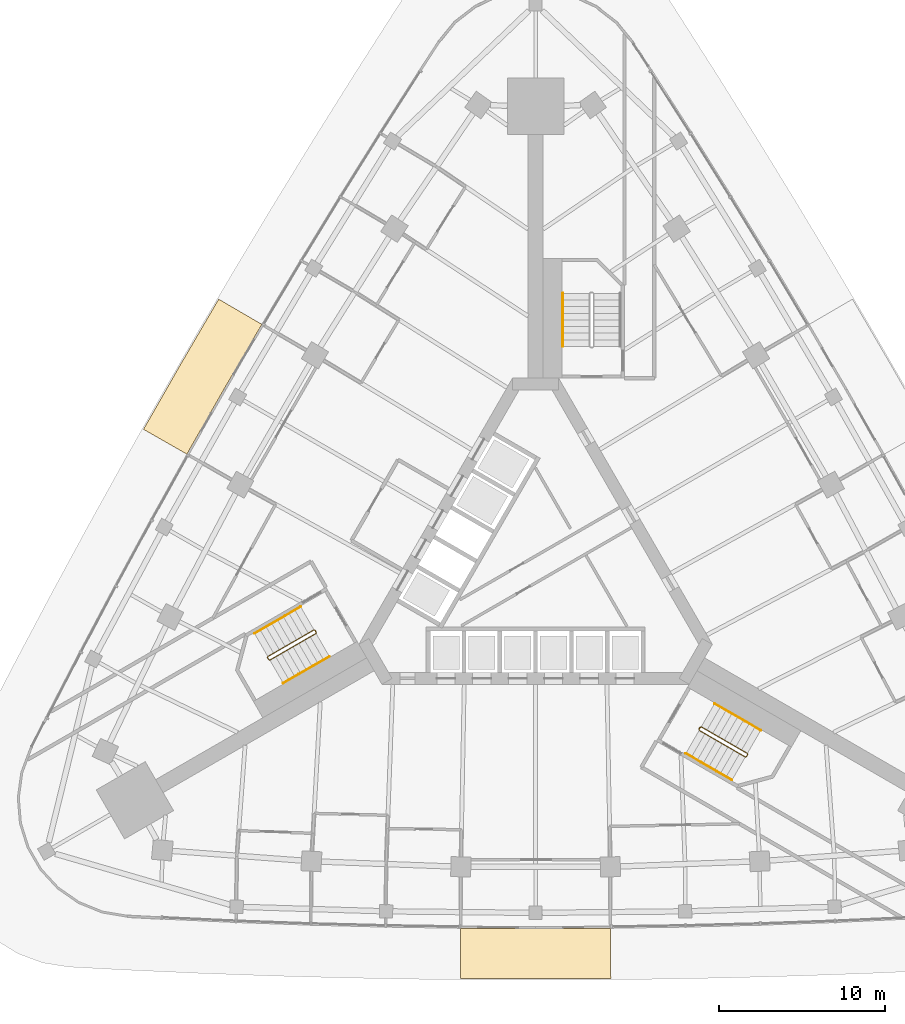
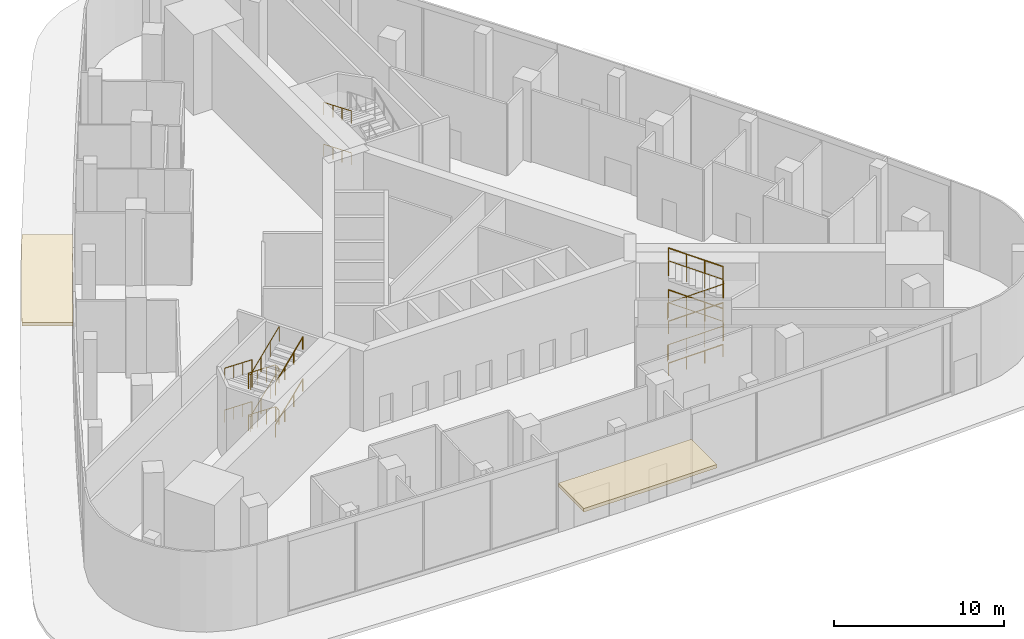
# One storey, part 12 of 14: 12 railings, 2 coverings.
"""IFC4 building model written with IfcOpenShell, lengths in metres."""

import ifcopenshell
import ifcopenshell.guid

model = None  # the IFC model being written
_history = None  # IfcOwnerHistory: only IFC2X3 demands one
_inside = {}  # id of a spatial element -> (the spatial element, [elements in it])
_under = {}  # id of a project, library or spatial element -> (it, [spatial elements below it])
_declared = {}  # id of a project -> (the project, [libraries it declares])
_typed = {}  # id of a type object -> (the type object, [elements of that type])
_made_of = {}  # id of a material, layer set ... -> (it, [elements and type objects made of it])


def new_model(schema):
    """Start an empty IFC model of exactly this schema.

    Asked for "IFC4X3", IfcOpenShell would pick the latest addendum, in which some entities
    have other attributes; the version numbers below select the first issue.
    IFC2X3 requires an IfcOwnerHistory on every rooted entity: one is made here for all.
    """
    global model, _history
    if schema == "IFC4X3":
        model = ifcopenshell.file(schema_version=(4, 3, 0, 0))
    else:
        model = ifcopenshell.file(schema=schema)
    _inside.clear()
    _under.clear()
    _declared.clear()
    _typed.clear()
    _made_of.clear()
    _history = None
    if model.schema == "IFC2X3":
        org = make("IfcOrganization", Name="unknown")
        user = make(
            "IfcPersonAndOrganization",
            ThePerson=make("IfcPerson", FamilyName="unknown"),
            TheOrganization=org,
        )
        app = make(
            "IfcApplication",
            ApplicationDeveloper=org,
            Version="unknown",
            ApplicationFullName="unknown",
            ApplicationIdentifier="unknown",
        )
        _history = make(
            "IfcOwnerHistory",
            OwningUser=user,
            OwningApplication=app,
            ChangeAction="ADDED",
            CreationDate=0,
        )
    return model


def make(cls, **values):
    """One entity of the class cls with the attributes given. An attribute that is None is left unset."""
    return model.create_entity(
        cls, **{name: value for name, value in values.items() if value is not None}
    )


def rooted(cls, **values):
    """An entity with a GlobalId (a new one), such as an element, a storey or a relation."""
    return make(cls, GlobalId=ifcopenshell.guid.new(), OwnerHistory=_history, **values)


def si_unit(unit_type, name, prefix=None):
    """IfcSIUnit, for example si_unit("LENGTHUNIT", "METRE", prefix="MILLI")."""
    return make("IfcSIUnit", UnitType=unit_type, Prefix=prefix, Name=name)


def assignment(units):
    """IfcUnitAssignment: the units of a project."""
    return None if units is None else make("IfcUnitAssignment", Units=units)


def point(xyz):
    """IfcCartesianPoint."""
    return None if xyz is None else make("IfcCartesianPoint", Coordinates=xyz)


def direction(xyz):
    """IfcDirection."""
    return None if xyz is None else make("IfcDirection", DirectionRatios=xyz)


def frame(location, z_axis=None, x_axis=None):
    """IfcAxis2Placement3D, a coordinate frame: its origin and axes. An axis left out is left unset."""
    return make(
        "IfcAxis2Placement3D",
        Location=point(location),
        Axis=direction(z_axis),
        RefDirection=direction(x_axis),
    )


def frame_2d(location, x_axis=None):
    """IfcAxis2Placement2D, a coordinate frame in the plane: its origin and x axis."""
    return make(
        "IfcAxis2Placement2D", Location=point(location), RefDirection=direction(x_axis)
    )


def origin():
    """The frame at (0, 0, 0) with its axes left unset."""
    return frame((0.0, 0.0, 0.0))


def origin_2d():
    """The frame at (0, 0) in the plane with its x axis left unset."""
    return frame_2d((0.0, 0.0))


def place(relative_to, where):
    """IfcLocalPlacement: puts the frame where relative to a parent placement (None: the world)."""
    return make(
        "IfcLocalPlacement", PlacementRelTo=relative_to, RelativePlacement=where
    )


def context(
    kind, dimensions, precision=None, world=None, true_north=None, identifier=None
):
    """IfcGeometricRepresentationContext, for example the 3D "Model" context."""
    return make(
        "IfcGeometricRepresentationContext",
        ContextIdentifier=identifier,
        ContextType=kind,
        CoordinateSpaceDimension=dimensions,
        Precision=precision,
        WorldCoordinateSystem=world,
        TrueNorth=true_north,
    )


def subcontext(parent, identifier, kind, view, scale=None):
    """IfcGeometricRepresentationSubContext, for example "Body" below "Model"."""
    return make(
        "IfcGeometricRepresentationSubContext",
        ContextIdentifier=identifier,
        ContextType=kind,
        ParentContext=parent,
        TargetScale=scale,
        TargetView=view,
    )


def project(units=None, contexts=None):
    """IfcProject with its units and contexts."""
    return rooted(
        "IfcProject",
        Name="project",
        RepresentationContexts=contexts,
        UnitsInContext=assignment(units),
    )


def spatial(cls, under=None, at=None, **own):
    """A site, building, storey or space (cls), placed at a placement, below another one or the project."""
    s = rooted(cls, ObjectPlacement=at, **own)
    if under is not None:
        _under.setdefault(under.id(), (under, []))[1].append(s)
    return s


def polyline(points):
    """IfcPolyline through the points."""
    return make("IfcPolyline", Points=[point(p) for p in points])


def profile(cls, at=None, kind="AREA", **sizes):
    """A parametric profile (cls). Its sizes go by their IFC names, for example OverallWidth=200.0."""
    return make(cls, ProfileType=kind, Position=at, **sizes)


def circle(**sizes):
    """IfcCircleProfileDef."""
    return profile("IfcCircleProfileDef", **sizes)


def outline(outer, holes=None, kind="AREA"):
    """IfcArbitraryClosedProfileDef: a profile drawn as a closed curve; with holes, ...WithVoids."""
    if holes is None:
        return make("IfcArbitraryClosedProfileDef", ProfileType=kind, OuterCurve=outer)
    return make(
        "IfcArbitraryProfileDefWithVoids",
        ProfileType=kind,
        OuterCurve=outer,
        InnerCurves=holes,
    )


def extrude(swept, where, along, depth):
    """IfcExtrudedAreaSolid: the profile swept, set in the frame where, extruded along a direction by depth."""
    return make(
        "IfcExtrudedAreaSolid",
        SweptArea=swept,
        Position=where,
        ExtrudedDirection=direction(along),
        Depth=depth,
    )


def shape(context_of_items, identifier, shape_type, items):
    """IfcShapeRepresentation: the items that make up one representation, for example the "Body"."""
    return make(
        "IfcShapeRepresentation",
        ContextOfItems=context_of_items,
        RepresentationIdentifier=identifier,
        RepresentationType=shape_type,
        Items=items,
    )


def material(Name=None, Category=None):
    """IfcMaterial."""
    return make("IfcMaterial", Name=Name, Category=Category)


def layer(
    of_material, thickness, ventilated=None, Name=None, Category=None, Priority=None
):
    """IfcMaterialLayer: one layer of a wall or slab, of a material (None: an air gap)."""
    return make(
        "IfcMaterialLayer",
        Material=of_material,
        LayerThickness=thickness,
        IsVentilated=ventilated,
        Name=Name,
        Category=Category,
        Priority=Priority,
    )


def layer_set(layers, Name=None):
    """IfcMaterialLayerSet."""
    return make("IfcMaterialLayerSet", MaterialLayers=layers, LayerSetName=Name)


def made_of(thing, what):
    """Note that an element or type object is made of a material, layer set ...; save() writes the relation."""
    if what is not None:
        _made_of.setdefault(what.id(), (what, []))[1].append(thing)
    return thing


def type_object(cls, material=None, **own):
    """A type object (cls), such as IfcWallType, which elements share."""
    return made_of(rooted(cls, **own), material)


def element(
    cls,
    number,
    at=None,
    inside=None,
    cuts=None,
    type_object=None,
    material=None,
    context=None,
    identifier="Body",
    shape_type=None,
    held_by="IfcProductDefinitionShape",
    body=None,
    shapes=None,
    **own,
):
    """One element of the class cls, such as IfcWall. Its Tag is "e" and its number.

    at: its placement. inside: the storey or other place that contains it. cuts: it is an
    opening in that element (IfcRelVoidsElement). A single representation is given by context,
    identifier, shape_type and body (its items); several are given by shapes. held_by: the class
    of the entity that holds the representations. save() writes the other relations.
    """
    e = rooted(cls, Tag="e%d" % number, ObjectPlacement=at, **own)
    if body is not None:
        shapes = [shape(context, identifier, shape_type, body)]
    if shapes is not None:
        e.Representation = make(held_by, Representations=shapes)
    if inside is not None:
        _inside.setdefault(inside.id(), (inside, []))[1].append(e)
    if cuts is not None:
        rooted(
            "IfcRelVoidsElement", RelatingBuildingElement=cuts, RelatedOpeningElement=e
        )
    if type_object is not None:
        _typed.setdefault(type_object.id(), (type_object, []))[1].append(e)
    return made_of(e, material)


def aggregate(whole, parts):
    """IfcRelAggregates: a whole, such as a stair, and the parts it consists of."""
    return rooted("IfcRelAggregates", RelatingObject=whole, RelatedObjects=parts)


def save(model, path):
    """Write the relations noted so far, then the file.

    IfcRelAggregates (storeys below a building ...), IfcRelContainedInSpatialStructure (elements
    in a storey), IfcRelDefinesByType, IfcRelAssociatesMaterial and IfcRelDeclares: one each for
    every whole, place, type object, material and project.
    """
    for whole, parts in _under.values():
        aggregate(whole, parts)
    for where, things in _inside.values():
        rooted(
            "IfcRelContainedInSpatialStructure",
            RelatedElements=things,
            RelatingStructure=where,
        )
    for kind, things in _typed.values():
        rooted("IfcRelDefinesByType", RelatedObjects=things, RelatingType=kind)
    for what, things in _made_of.values():
        rooted("IfcRelAssociatesMaterial", RelatedObjects=things, RelatingMaterial=what)
    for by, libraries in _declared.values():
        rooted("IfcRelDeclares", RelatingContext=by, RelatedDefinitions=libraries)
    model.write(path)


model = new_model("IFC4")

# Units and contexts
model_context = context("Model", 3, precision=1e-05, world=origin(), true_north=direction((0.0, 1.0)))
body_context = subcontext(model_context, "Body", "Model", "MODEL_VIEW")
ifc_project = project(units=[si_unit("LENGTHUNIT", "METRE"), si_unit("AREAUNIT", "SQUARE_METRE"), si_unit("VOLUMEUNIT", "CUBIC_METRE"), si_unit("PLANEANGLEUNIT", "RADIAN"), si_unit("MASSUNIT", "GRAM", prefix="KILO")], contexts=[model_context])

# Site, building, storey
site_placement = place(None, origin())
site = spatial("IfcSite", under=ifc_project, at=site_placement, CompositionType="ELEMENT")
building_placement = place(site_placement, origin())
building = spatial("IfcBuilding", under=site, at=building_placement, Name="Noor Cloister Tower", CompositionType="ELEMENT")
storey_placement = place(building_placement, origin())
storey = spatial("IfcBuildingStorey", under=building, at=storey_placement, Name="L00", CompositionType="ELEMENT", Elevation=0.0)

# Railings
ifc_material_1 = material(Name="Stainless steel", Category="steel")
railing_type_1 = type_object("IfcRailingType", Name="Stair guard 1100", PredefinedType="GUARDRAIL", material=ifc_material_1)
railing_1_placement = place(storey_placement, frame((-13.241455078125, -3.677734375, 0.0)))
element("IfcRailing", 1, at=railing_1_placement, inside=storey, type_object=railing_type_1, Name="Stair guard ST2 L00", PredefinedType="GUARDRAIL", context=body_context, shape_type="SweptSolid", body=[
    extrude(circle(Radius=0.02392578125, at=origin_2d()), frame((0.0, 0.0, 1.076171875), z_axis=(0.499112439033, -0.866537231285, 0.0), x_axis=(0.866537231285, 0.499112439033, 0.0)), (0.0, 0.0, 1.0), 0.150146484375),
    extrude(circle(Radius=0.02392578125, at=origin_2d()), frame((0.074951171875, -0.130126953125, 1.076171875), z_axis=(-0.540490219993, 0.558905559686, 0.62888385052), x_axis=(-0.718850276695, -0.695164929852, 0.0)), (0.0, 0.0, 1.0), 0.26513671875),
    extrude(circle(Radius=0.02392578125, at=origin_2d()), frame((-0.068359375, 0.01806640625, 1.24267578125), z_axis=(-0.799426598515, -0.461513743289, 0.38460652405), x_axis=(0.499971222258, -0.866042017984, 0.0)), (0.0, 0.0, 1.0), 3.466552734375),
    extrude(circle(Radius=0.02392578125, at=origin_2d()), frame((-2.839599609375, -1.581787109375, 2.576171875), z_axis=(-0.258736085224, -0.965948051503, 0.0), x_axis=(0.965948051503, -0.258736085224, 0.0)), (0.0, 0.0, 1.0), 0.07080078125),
    extrude(circle(Radius=0.02392578125, at=origin_2d()), frame((-2.85791015625, -1.650146484375, 2.576171875), z_axis=(0.499816412211, -0.866131372301, 0.0), x_axis=(0.866131372301, 0.499816412211, 0.0)), (0.0, 0.0, 1.0), 0.14990234375),
    extrude(circle(Radius=0.02392578125, at=origin_2d()), frame((-2.782958984375, -1.780029296875, 2.576171875), z_axis=(0.377375626821, -0.101082757184, 0.920526975423), x_axis=(0.258736085224, 0.965948051503, 0.0)), (0.0, 0.0, 1.0), 0.18115234375),
    extrude(circle(Radius=0.02392578125, at=origin_2d()), frame((-2.714599609375, -1.79833984375, 2.74267578125), z_axis=(0.799400613698, 0.461569167666, 0.384594022677), x_axis=(-0.500028443584, 0.866008981251, 0.0)), (0.0, 0.0, 1.0), 3.466552734375),
    extrude(circle(Radius=0.02392578125, at=origin_2d()), frame((0.056640625, -0.1982421875, 4.076171875), z_axis=(-0.274721127897, 0.961523947641, 0.0), x_axis=(-0.961523947641, -0.274721127897, 0.0)), (0.0, 0.0, 1.0), 0.2060546875),
    extrude(circle(Radius=0.02392578125, at=origin_2d()), frame((0.0, 0.0, 4.076171875), z_axis=(0.499112439033, -0.866537231285, 0.0), x_axis=(0.866537231285, 0.499112439033, 0.0)), (0.0, 0.0, 1.0), 0.150146484375),
    extrude(circle(Radius=0.02392578125, at=origin_2d()), frame((0.074951171875, -0.130126953125, 4.076171875), z_axis=(-0.540490219993, 0.558905559686, 0.62888385052), x_axis=(-0.718850276695, -0.695164929852, 0.0)), (0.0, 0.0, 1.0), 0.26513671875),
    extrude(circle(Radius=0.02392578125, at=origin_2d()), frame((-0.068359375, 0.01806640625, 4.24267578125), z_axis=(-0.799426598515, -0.461513743289, 0.38460652405), x_axis=(0.499971222258, -0.866042017984, 0.0)), (0.0, 0.0, 1.0), 3.466552734375),
    extrude(circle(Radius=0.02392578125, at=origin_2d()), frame((-2.839599609375, -1.581787109375, 5.576171875), z_axis=(-0.258736085224, -0.965948051503, 0.0), x_axis=(0.965948051503, -0.258736085224, 0.0)), (0.0, 0.0, 1.0), 0.07080078125),
    extrude(circle(Radius=0.02392578125, at=origin_2d()), frame((-2.85791015625, -1.650146484375, 5.576171875), z_axis=(0.499816412211, -0.866131372301, 0.0), x_axis=(0.866131372301, 0.499816412211, 0.0)), (0.0, 0.0, 1.0), 0.14990234375),
    extrude(circle(Radius=0.02392578125, at=origin_2d()), frame((-2.782958984375, -1.780029296875, 5.576171875), z_axis=(0.377375626821, -0.101082757184, 0.920526975423), x_axis=(0.258736085224, 0.965948051503, 0.0)), (0.0, 0.0, 1.0), 0.18115234375),
    extrude(circle(Radius=0.02392578125, at=origin_2d()), frame((-2.714599609375, -1.79833984375, 5.74267578125), z_axis=(0.799400613698, 0.461569167666, 0.384594022677), x_axis=(-0.500028443584, 0.866008981251, 0.0)), (0.0, 0.0, 1.0), 3.466552734375),
    extrude(circle(Radius=0.02099609375, at=origin_2d()), origin(), (0.0, 0.0, 1.0), 1.052001953125),
    extrude(circle(Radius=0.02099609375, at=origin_2d()), frame((0.074951171875, -0.130126953125, 0.0)), (0.0, 0.0, 1.0), 1.052001953125),
    extrude(circle(Radius=0.02099609375, at=origin_2d()), frame((-0.068359375, 0.01806640625, 0.166748046875)), (0.0, 0.0, 1.0), 1.052001953125),
    extrude(circle(Radius=0.02099609375, at=origin_2d()), frame((-0.9921875, -0.51513671875, 0.611083984375)), (0.0, 0.0, 1.0), 1.052001953125),
    extrude(circle(Radius=0.02099609375, at=origin_2d()), frame((-1.915771484375, -1.048583984375, 1.0556640625)), (0.0, 0.0, 1.0), 1.052001953125),
    extrude(circle(Radius=0.02099609375, at=origin_2d()), frame((-2.839599609375, -1.581787109375, 1.5)), (0.0, 0.0, 1.0), 1.052001953125),
    extrude(circle(Radius=0.02099609375, at=origin_2d()), frame((-2.85791015625, -1.650146484375, 1.5)), (0.0, 0.0, 1.0), 1.052001953125),
    extrude(circle(Radius=0.02099609375, at=origin_2d()), frame((-2.782958984375, -1.780029296875, 1.5)), (0.0, 0.0, 1.0), 1.052001953125),
    extrude(circle(Radius=0.02099609375, at=origin_2d()), frame((-2.714599609375, -1.79833984375, 1.666748046875)), (0.0, 0.0, 1.0), 1.052001953125),
    extrude(circle(Radius=0.02099609375, at=origin_2d()), frame((-1.790771484375, -1.264892578125, 2.111083984375)), (0.0, 0.0, 1.0), 1.052001953125),
    extrude(circle(Radius=0.02099609375, at=origin_2d()), frame((-0.8671875, -0.731689453125, 2.5556640625)), (0.0, 0.0, 1.0), 1.052001953125),
    extrude(circle(Radius=0.02099609375, at=origin_2d()), frame((0.056640625, -0.1982421875, 3.0)), (0.0, 0.0, 1.0), 1.052001953125),
    extrude(circle(Radius=0.02099609375, at=origin_2d()), frame((0.0, 0.0, 3.0)), (0.0, 0.0, 1.0), 1.052001953125),
    extrude(circle(Radius=0.02099609375, at=origin_2d()), frame((0.074951171875, -0.130126953125, 3.0)), (0.0, 0.0, 1.0), 1.052001953125),
    extrude(circle(Radius=0.02099609375, at=origin_2d()), frame((-0.068359375, 0.01806640625, 3.166748046875)), (0.0, 0.0, 1.0), 1.052001953125),
    extrude(circle(Radius=0.02099609375, at=origin_2d()), frame((-0.9921875, -0.51513671875, 3.611083984375)), (0.0, 0.0, 1.0), 1.052001953125),
    extrude(circle(Radius=0.02099609375, at=origin_2d()), frame((-1.915771484375, -1.048583984375, 4.0556640625)), (0.0, 0.0, 1.0), 1.052001953125),
    extrude(circle(Radius=0.02099609375, at=origin_2d()), frame((-2.839599609375, -1.581787109375, 4.5)), (0.0, 0.0, 1.0), 1.052001953125),
    extrude(circle(Radius=0.02099609375, at=origin_2d()), frame((-2.85791015625, -1.650146484375, 4.5)), (0.0, 0.0, 1.0), 1.052001953125),
    extrude(circle(Radius=0.02099609375, at=origin_2d()), frame((-2.782958984375, -1.780029296875, 4.5)), (0.0, 0.0, 1.0), 1.052001953125),
    extrude(circle(Radius=0.02099609375, at=origin_2d()), frame((-2.714599609375, -1.79833984375, 4.666748046875)), (0.0, 0.0, 1.0), 1.052001953125),
    extrude(circle(Radius=0.02099609375, at=origin_2d()), frame((-1.790771484375, -1.264892578125, 5.111083984375)), (0.0, 0.0, 1.0), 1.052001953125),
    extrude(circle(Radius=0.02099609375, at=origin_2d()), frame((-0.8671875, -0.731689453125, 5.5556640625)), (0.0, 0.0, 1.0), 1.052001953125),
    extrude(circle(Radius=0.02099609375, at=origin_2d()), frame((0.056640625, -0.1982421875, 6.0)), (0.0, 0.0, 1.0), 1.052001953125),
])
railing_2_placement = place(storey_placement, frame((9.805908203125, -9.628662109375, 0.0)))
element("IfcRailing", 2, at=railing_2_placement, inside=storey, type_object=railing_type_1, Name="Stair guard ST3 L00", PredefinedType="GUARDRAIL", context=body_context, shape_type="SweptSolid", body=[
    extrude(circle(Radius=0.02392578125, at=origin_2d()), frame((0.0, 0.0, 1.076171875), z_axis=(0.499112439033, 0.866537231285, 0.0), x_axis=(-0.866537231285, 0.499112439033, 0.0)), (0.0, 0.0, 1.0), 0.150146484375),
    extrude(circle(Radius=0.02392578125, at=origin_2d()), frame((0.074951171875, 0.130126953125, 1.076171875), z_axis=(-0.213604358649, -0.747615255272, 0.628843866195), x_axis=(0.961523947641, -0.274721127897, 0.0)), (0.0, 0.0, 1.0), 0.26513671875),
    extrude(circle(Radius=0.02392578125, at=origin_2d()), frame((0.018310546875, -0.068115234375, 1.24267578125), z_axis=(0.799400613698, -0.461569167666, 0.384594022677), x_axis=(0.500028443584, 0.866008981251, 0.0)), (0.0, 0.0, 1.0), 3.466552734375),
    extrude(circle(Radius=0.02392578125, at=origin_2d()), frame((2.78955078125, -1.668212890625, 2.576171875), z_axis=(0.965948051503, 0.258736085224, 0.0), x_axis=(-0.258736085224, 0.965948051503, 0.0)), (0.0, 0.0, 1.0), 0.07080078125),
    extrude(circle(Radius=0.02392578125, at=origin_2d()), frame((2.85791015625, -1.64990234375, 2.576171875), z_axis=(0.499816412211, 0.866131372301, 0.0), x_axis=(-0.866131372301, 0.499816412211, 0.0)), (0.0, 0.0, 1.0), 0.14990234375),
    extrude(circle(Radius=0.02392578125, at=origin_2d()), frame((2.932861328125, -1.52001953125, 2.576171875), z_axis=(-0.101082757184, 0.377375626821, 0.920526975423), x_axis=(-0.965948051503, -0.258736085224, 0.0)), (0.0, 0.0, 1.0), 0.18115234375),
    extrude(circle(Radius=0.02392578125, at=origin_2d()), frame((2.91455078125, -1.45166015625, 2.74267578125), z_axis=(-0.799426598515, 0.461513743289, 0.38460652405), x_axis=(-0.499971222258, -0.866042017984, 0.0)), (0.0, 0.0, 1.0), 3.466552734375),
    extrude(circle(Radius=0.02392578125, at=origin_2d()), frame((0.143310546875, 0.148193359375, 4.076171875), z_axis=(-0.695164929852, -0.718850276695, 0.0), x_axis=(0.718850276695, -0.695164929852, 0.0)), (0.0, 0.0, 1.0), 0.2060546875),
    extrude(circle(Radius=0.02392578125, at=origin_2d()), frame((0.0, 0.0, 4.076171875), z_axis=(0.499112439033, 0.866537231285, 0.0), x_axis=(-0.866537231285, 0.499112439033, 0.0)), (0.0, 0.0, 1.0), 0.150146484375),
    extrude(circle(Radius=0.02392578125, at=origin_2d()), frame((0.074951171875, 0.130126953125, 4.076171875), z_axis=(-0.213604358649, -0.747615255272, 0.628843866195), x_axis=(0.961523947641, -0.274721127897, 0.0)), (0.0, 0.0, 1.0), 0.26513671875),
    extrude(circle(Radius=0.02392578125, at=origin_2d()), frame((0.018310546875, -0.068115234375, 4.24267578125), z_axis=(0.799400613698, -0.461569167666, 0.384594022677), x_axis=(0.500028443584, 0.866008981251, 0.0)), (0.0, 0.0, 1.0), 3.466552734375),
    extrude(circle(Radius=0.02392578125, at=origin_2d()), frame((2.78955078125, -1.668212890625, 5.576171875), z_axis=(0.965948051503, 0.258736085224, 0.0), x_axis=(-0.258736085224, 0.965948051503, 0.0)), (0.0, 0.0, 1.0), 0.07080078125),
    extrude(circle(Radius=0.02392578125, at=origin_2d()), frame((2.85791015625, -1.64990234375, 5.576171875), z_axis=(0.499816412211, 0.866131372301, 0.0), x_axis=(-0.866131372301, 0.499816412211, 0.0)), (0.0, 0.0, 1.0), 0.14990234375),
    extrude(circle(Radius=0.02392578125, at=origin_2d()), frame((2.932861328125, -1.52001953125, 5.576171875), z_axis=(-0.101082757184, 0.377375626821, 0.920526975423), x_axis=(-0.965948051503, -0.258736085224, 0.0)), (0.0, 0.0, 1.0), 0.18115234375),
    extrude(circle(Radius=0.02392578125, at=origin_2d()), frame((2.91455078125, -1.45166015625, 5.74267578125), z_axis=(-0.799426598515, 0.461513743289, 0.38460652405), x_axis=(-0.499971222258, -0.866042017984, 0.0)), (0.0, 0.0, 1.0), 3.466552734375),
    extrude(circle(Radius=0.02099609375, at=origin_2d()), origin(), (0.0, 0.0, 1.0), 1.052001953125),
    extrude(circle(Radius=0.02099609375, at=origin_2d()), frame((0.074951171875, 0.130126953125, 0.0)), (0.0, 0.0, 1.0), 1.052001953125),
    extrude(circle(Radius=0.02099609375, at=origin_2d()), frame((0.018310546875, -0.068115234375, 0.166748046875)), (0.0, 0.0, 1.0), 1.052001953125),
    extrude(circle(Radius=0.02099609375, at=origin_2d()), frame((0.942138671875, -0.6015625, 0.611083984375)), (0.0, 0.0, 1.0), 1.052001953125),
    extrude(circle(Radius=0.02099609375, at=origin_2d()), frame((1.86572265625, -1.134765625, 1.0556640625)), (0.0, 0.0, 1.0), 1.052001953125),
    extrude(circle(Radius=0.02099609375, at=origin_2d()), frame((2.78955078125, -1.668212890625, 1.5)), (0.0, 0.0, 1.0), 1.052001953125),
    extrude(circle(Radius=0.02099609375, at=origin_2d()), frame((2.85791015625, -1.64990234375, 1.5)), (0.0, 0.0, 1.0), 1.052001953125),
    extrude(circle(Radius=0.02099609375, at=origin_2d()), frame((2.932861328125, -1.52001953125, 1.5)), (0.0, 0.0, 1.0), 1.052001953125),
    extrude(circle(Radius=0.02099609375, at=origin_2d()), frame((2.91455078125, -1.45166015625, 1.666748046875)), (0.0, 0.0, 1.0), 1.052001953125),
    extrude(circle(Radius=0.02099609375, at=origin_2d()), frame((1.99072265625, -0.91845703125, 2.111083984375)), (0.0, 0.0, 1.0), 1.052001953125),
    extrude(circle(Radius=0.02099609375, at=origin_2d()), frame((1.067138671875, -0.385009765625, 2.5556640625)), (0.0, 0.0, 1.0), 1.052001953125),
    extrude(circle(Radius=0.02099609375, at=origin_2d()), frame((0.143310546875, 0.148193359375, 3.0)), (0.0, 0.0, 1.0), 1.052001953125),
    extrude(circle(Radius=0.02099609375, at=origin_2d()), frame((0.0, 0.0, 3.0)), (0.0, 0.0, 1.0), 1.052001953125),
    extrude(circle(Radius=0.02099609375, at=origin_2d()), frame((0.074951171875, 0.130126953125, 3.0)), (0.0, 0.0, 1.0), 1.052001953125),
    extrude(circle(Radius=0.02099609375, at=origin_2d()), frame((0.018310546875, -0.068115234375, 3.166748046875)), (0.0, 0.0, 1.0), 1.052001953125),
    extrude(circle(Radius=0.02099609375, at=origin_2d()), frame((0.942138671875, -0.6015625, 3.611083984375)), (0.0, 0.0, 1.0), 1.052001953125),
    extrude(circle(Radius=0.02099609375, at=origin_2d()), frame((1.86572265625, -1.134765625, 4.0556640625)), (0.0, 0.0, 1.0), 1.052001953125),
    extrude(circle(Radius=0.02099609375, at=origin_2d()), frame((2.78955078125, -1.668212890625, 4.5)), (0.0, 0.0, 1.0), 1.052001953125),
    extrude(circle(Radius=0.02099609375, at=origin_2d()), frame((2.85791015625, -1.64990234375, 4.5)), (0.0, 0.0, 1.0), 1.052001953125),
    extrude(circle(Radius=0.02099609375, at=origin_2d()), frame((2.932861328125, -1.52001953125, 4.5)), (0.0, 0.0, 1.0), 1.052001953125),
    extrude(circle(Radius=0.02099609375, at=origin_2d()), frame((2.91455078125, -1.45166015625, 4.666748046875)), (0.0, 0.0, 1.0), 1.052001953125),
    extrude(circle(Radius=0.02099609375, at=origin_2d()), frame((1.99072265625, -0.91845703125, 5.111083984375)), (0.0, 0.0, 1.0), 1.052001953125),
    extrude(circle(Radius=0.02099609375, at=origin_2d()), frame((1.067138671875, -0.385009765625, 5.5556640625)), (0.0, 0.0, 1.0), 1.052001953125),
    extrude(circle(Radius=0.02099609375, at=origin_2d()), frame((0.143310546875, 0.148193359375, 6.0)), (0.0, 0.0, 1.0), 1.052001953125),
])
ifc_material_2 = material(Name="Stainless steel", Category="steel")
railing_type_2 = type_object("IfcRailingType", Name="Stair handrail 900", PredefinedType="HANDRAIL", material=ifc_material_2)
for number, where, name in (
    (3, (1.6357421875, 16.556396484375, 1.666748046875), "Stair handrail ST1 L00 2"),
    (4, (1.6357421875, 16.556396484375, 4.666748046875), "Stair handrail ST1 L00 4"),
):
    element("IfcRailing", number, at=place(storey_placement, frame(where)), inside=storey, type_object=railing_type_2, Name=name, PredefinedType="HANDRAIL", context=body_context, shape_type="SweptSolid", body=[
        extrude(circle(Radius=0.02392578125, at=origin_2d()), frame((0.0, 0.0, 0.8759765625), z_axis=(0.0, -0.923083173848, 0.384600382421), x_axis=(1.0, 0.0, 0.0)), (0.0, 0.0, 1.0), 3.466552734375),
        extrude(circle(Radius=0.02099609375, at=origin_2d()), origin(), (0.0, 0.0, 1.0), 0.851806640625),
        extrude(circle(Radius=0.02099609375, at=origin_2d()), frame((0.0, -1.066650390625, 0.4443359375)), (0.0, 0.0, 1.0), 0.851806640625),
        extrude(circle(Radius=0.02099609375, at=origin_2d()), frame((0.0, -2.13330078125, 0.888916015625)), (0.0, 0.0, 1.0), 0.851806640625),
        extrude(circle(Radius=0.02099609375, at=origin_2d()), frame((0.0, -3.199951171875, 1.333251953125)), (0.0, 0.0, 1.0), 0.851806640625),
    ])
railing_3_placement = place(storey_placement, frame((-14.10986328125, -2.27392578125, 0.166748046875)))
element("IfcRailing", 5, at=railing_3_placement, inside=storey, type_object=railing_type_2, Name="Stair handrail ST2 L00 1", PredefinedType="HANDRAIL", context=body_context, shape_type="SweptSolid", body=[
    extrude(circle(Radius=0.02392578125, at=origin_2d()), frame((0.0, 0.0, 0.8759765625), z_axis=(-0.799400613698, -0.461569167666, 0.384594022677), x_axis=(0.500028443584, -0.866008981251, 0.0)), (0.0, 0.0, 1.0), 3.466552734375),
    extrude(circle(Radius=0.02099609375, at=origin_2d()), origin(), (0.0, 0.0, 1.0), 0.851806640625),
    extrude(circle(Radius=0.02099609375, at=origin_2d()), frame((-0.923828125, -0.533447265625, 0.4443359375)), (0.0, 0.0, 1.0), 0.851806640625),
    extrude(circle(Radius=0.02099609375, at=origin_2d()), frame((-1.847412109375, -1.066650390625, 0.888916015625)), (0.0, 0.0, 1.0), 0.851806640625),
    extrude(circle(Radius=0.02099609375, at=origin_2d()), frame((-2.771240234375, -1.60009765625, 1.333251953125)), (0.0, 0.0, 1.0), 0.851806640625),
])
railing_4_placement = place(storey_placement, frame((-15.156005859375, -6.86181640625, 1.666748046875)))
element("IfcRailing", 6, at=railing_4_placement, inside=storey, type_object=railing_type_2, Name="Stair handrail ST2 L00 2", PredefinedType="HANDRAIL", context=body_context, shape_type="SweptSolid", body=[
    extrude(circle(Radius=0.02392578125, at=origin_2d()), frame((0.0, 0.0, 0.8759765625), z_axis=(0.799400613698, 0.461569167666, 0.384594022677), x_axis=(-0.500028443584, 0.866008981251, 0.0)), (0.0, 0.0, 1.0), 3.466552734375),
    extrude(circle(Radius=0.02099609375, at=origin_2d()), origin(), (0.0, 0.0, 1.0), 0.851806640625),
    extrude(circle(Radius=0.02099609375, at=origin_2d()), frame((0.923828125, 0.533447265625, 0.4443359375)), (0.0, 0.0, 1.0), 0.851806640625),
    extrude(circle(Radius=0.02099609375, at=origin_2d()), frame((1.847412109375, 1.066650390625, 0.888916015625)), (0.0, 0.0, 1.0), 0.851806640625),
    extrude(circle(Radius=0.02099609375, at=origin_2d()), frame((2.771240234375, 1.60009765625, 1.333251953125)), (0.0, 0.0, 1.0), 0.851806640625),
])
railing_5_placement = place(storey_placement, frame((-14.10986328125, -2.27392578125, 3.166748046875)))
element("IfcRailing", 7, at=railing_5_placement, inside=storey, type_object=railing_type_2, Name="Stair handrail ST2 L00 3", PredefinedType="HANDRAIL", context=body_context, shape_type="SweptSolid", body=[
    extrude(circle(Radius=0.02392578125, at=origin_2d()), frame((0.0, 0.0, 0.8759765625), z_axis=(-0.799400613698, -0.461569167666, 0.384594022677), x_axis=(0.500028443584, -0.866008981251, 0.0)), (0.0, 0.0, 1.0), 3.466552734375),
    extrude(circle(Radius=0.02099609375, at=origin_2d()), origin(), (0.0, 0.0, 1.0), 0.851806640625),
    extrude(circle(Radius=0.02099609375, at=origin_2d()), frame((-0.923828125, -0.533447265625, 0.4443359375)), (0.0, 0.0, 1.0), 0.851806640625),
    extrude(circle(Radius=0.02099609375, at=origin_2d()), frame((-1.847412109375, -1.066650390625, 0.888916015625)), (0.0, 0.0, 1.0), 0.851806640625),
    extrude(circle(Radius=0.02099609375, at=origin_2d()), frame((-2.771240234375, -1.60009765625, 1.333251953125)), (0.0, 0.0, 1.0), 0.851806640625),
])
railing_6_placement = place(storey_placement, frame((-15.156005859375, -6.86181640625, 4.666748046875)))
element("IfcRailing", 8, at=railing_6_placement, inside=storey, type_object=railing_type_2, Name="Stair handrail ST2 L00 4", PredefinedType="HANDRAIL", context=body_context, shape_type="SweptSolid", body=[
    extrude(circle(Radius=0.02392578125, at=origin_2d()), frame((0.0, 0.0, 0.8759765625), z_axis=(0.799400613698, 0.461569167666, 0.384594022677), x_axis=(-0.500028443584, 0.866008981251, 0.0)), (0.0, 0.0, 1.0), 3.466552734375),
    extrude(circle(Radius=0.02099609375, at=origin_2d()), origin(), (0.0, 0.0, 1.0), 0.851806640625),
    extrude(circle(Radius=0.02099609375, at=origin_2d()), frame((0.923828125, 0.533447265625, 0.4443359375)), (0.0, 0.0, 1.0), 0.851806640625),
    extrude(circle(Radius=0.02099609375, at=origin_2d()), frame((1.847412109375, 1.066650390625, 0.888916015625)), (0.0, 0.0, 1.0), 0.851806640625),
    extrude(circle(Radius=0.02099609375, at=origin_2d()), frame((2.771240234375, 1.60009765625, 1.333251953125)), (0.0, 0.0, 1.0), 0.851806640625),
])
railing_7_placement = place(storey_placement, frame((9.024169921875, -11.08251953125, 0.166748046875)))
element("IfcRailing", 9, at=railing_7_placement, inside=storey, type_object=railing_type_2, Name="Stair handrail ST3 L00 1", PredefinedType="HANDRAIL", context=body_context, shape_type="SweptSolid", body=[
    extrude(circle(Radius=0.02392578125, at=origin_2d()), frame((0.0, 0.0, 0.8759765625), z_axis=(0.799400613698, -0.461569167666, 0.384594022677), x_axis=(0.500028443584, 0.866008981251, 0.0)), (0.0, 0.0, 1.0), 3.466552734375),
    extrude(circle(Radius=0.02099609375, at=origin_2d()), origin(), (0.0, 0.0, 1.0), 0.851806640625),
    extrude(circle(Radius=0.02099609375, at=origin_2d()), frame((0.923828125, -0.533447265625, 0.4443359375)), (0.0, 0.0, 1.0), 0.851806640625),
    extrude(circle(Radius=0.02099609375, at=origin_2d()), frame((1.847412109375, -1.066650390625, 0.888916015625)), (0.0, 0.0, 1.0), 0.851806640625),
    extrude(circle(Radius=0.02099609375, at=origin_2d()), frame((2.771240234375, -1.60009765625, 1.333251953125)), (0.0, 0.0, 1.0), 0.851806640625),
])
railing_8_placement = place(storey_placement, frame((13.5205078125, -9.69482421875, 1.666748046875)))
element("IfcRailing", 10, at=railing_8_placement, inside=storey, type_object=railing_type_2, Name="Stair handrail ST3 L00 2", PredefinedType="HANDRAIL", context=body_context, shape_type="SweptSolid", body=[
    extrude(circle(Radius=0.02392578125, at=origin_2d()), frame((0.0, 0.0, 0.8759765625), z_axis=(-0.799400613698, 0.461569167666, 0.384594022677), x_axis=(-0.500028443584, -0.866008981251, 0.0)), (0.0, 0.0, 1.0), 3.466552734375),
    extrude(circle(Radius=0.02099609375, at=origin_2d()), origin(), (0.0, 0.0, 1.0), 0.851806640625),
    extrude(circle(Radius=0.02099609375, at=origin_2d()), frame((-0.923828125, 0.533447265625, 0.4443359375)), (0.0, 0.0, 1.0), 0.851806640625),
    extrude(circle(Radius=0.02099609375, at=origin_2d()), frame((-1.847412109375, 1.066650390625, 0.888916015625)), (0.0, 0.0, 1.0), 0.851806640625),
    extrude(circle(Radius=0.02099609375, at=origin_2d()), frame((-2.771240234375, 1.60009765625, 1.333251953125)), (0.0, 0.0, 1.0), 0.851806640625),
])
railing_9_placement = place(storey_placement, frame((9.024169921875, -11.08251953125, 3.166748046875)))
element("IfcRailing", 11, at=railing_9_placement, inside=storey, type_object=railing_type_2, Name="Stair handrail ST3 L00 3", PredefinedType="HANDRAIL", context=body_context, shape_type="SweptSolid", body=[
    extrude(circle(Radius=0.02392578125, at=origin_2d()), frame((0.0, 0.0, 0.8759765625), z_axis=(0.799400613698, -0.461569167666, 0.384594022677), x_axis=(0.500028443584, 0.866008981251, 0.0)), (0.0, 0.0, 1.0), 3.466552734375),
    extrude(circle(Radius=0.02099609375, at=origin_2d()), origin(), (0.0, 0.0, 1.0), 0.851806640625),
    extrude(circle(Radius=0.02099609375, at=origin_2d()), frame((0.923828125, -0.533447265625, 0.4443359375)), (0.0, 0.0, 1.0), 0.851806640625),
    extrude(circle(Radius=0.02099609375, at=origin_2d()), frame((1.847412109375, -1.066650390625, 0.888916015625)), (0.0, 0.0, 1.0), 0.851806640625),
    extrude(circle(Radius=0.02099609375, at=origin_2d()), frame((2.771240234375, -1.60009765625, 1.333251953125)), (0.0, 0.0, 1.0), 0.851806640625),
])
railing_10_placement = place(storey_placement, frame((13.5205078125, -9.69482421875, 4.666748046875)))
element("IfcRailing", 12, at=railing_10_placement, inside=storey, type_object=railing_type_2, Name="Stair handrail ST3 L00 4", PredefinedType="HANDRAIL", context=body_context, shape_type="SweptSolid", body=[
    extrude(circle(Radius=0.02392578125, at=origin_2d()), frame((0.0, 0.0, 0.8759765625), z_axis=(-0.799400613698, 0.461569167666, 0.384594022677), x_axis=(-0.500028443584, -0.866008981251, 0.0)), (0.0, 0.0, 1.0), 3.466552734375),
    extrude(circle(Radius=0.02099609375, at=origin_2d()), origin(), (0.0, 0.0, 1.0), 0.851806640625),
    extrude(circle(Radius=0.02099609375, at=origin_2d()), frame((-0.923828125, 0.533447265625, 0.4443359375)), (0.0, 0.0, 1.0), 0.851806640625),
    extrude(circle(Radius=0.02099609375, at=origin_2d()), frame((-1.847412109375, 1.066650390625, 0.888916015625)), (0.0, 0.0, 1.0), 0.851806640625),
    extrude(circle(Radius=0.02099609375, at=origin_2d()), frame((-2.771240234375, 1.60009765625, 1.333251953125)), (0.0, 0.0, 1.0), 0.851806640625),
])

# Coverings
ifc_material_3 = material(Name="Aluminium standing seam roofing", Category="aluminium")
ifc_layer = layer(ifc_material_3, 0.25)
ifc_layer_set = layer_set([ifc_layer], Name="Station entrance canopy")
covering_type = type_object("IfcCoveringType", Name="Station entrance canopy", PredefinedType="ROOFING", material=ifc_layer_set)
covering_1_placement = place(storey_placement, frame((0.0, 0.0, 3.300048828125)))
element("IfcCovering", 13, at=covering_1_placement, inside=storey, type_object=covering_type, Name="Station entrance canopy NW", PredefinedType="ROOFING", context=body_context, shape_type="SweptSolid", body=[
    extrude(outline(polyline([(-19.03271484375, 16.202392578125), (-21.310546875, 12.3037109375), (-23.548095703125, 8.381591796875), (-20.9423828125, 6.89501953125), (-18.71240234375, 10.8037109375), (-16.4423828125, 14.689208984375), (-19.03271484375, 16.202392578125)])), origin(), (0.0, 0.0, 1.0), 0.25),
])
covering_2_placement = place(storey_placement, frame((0.0, 0.0, 3.300048828125)))
element("IfcCovering", 14, at=covering_2_placement, inside=storey, type_object=covering_type, Name="Station entrance canopy S", PredefinedType="ROOFING", context=body_context, shape_type="SweptSolid", body=[
    extrude(outline(polyline([(-4.515380859375, -24.584228515625), (0.0, -24.607177734375), (4.515380859375, -24.584228515625), (4.5, -21.584228515625), (0.0, -21.607177734375), (-4.5, -21.584228515625), (-4.515380859375, -24.584228515625)])), origin(), (0.0, 0.0, 1.0), 0.25),
])

save(model, "model.ifc")
